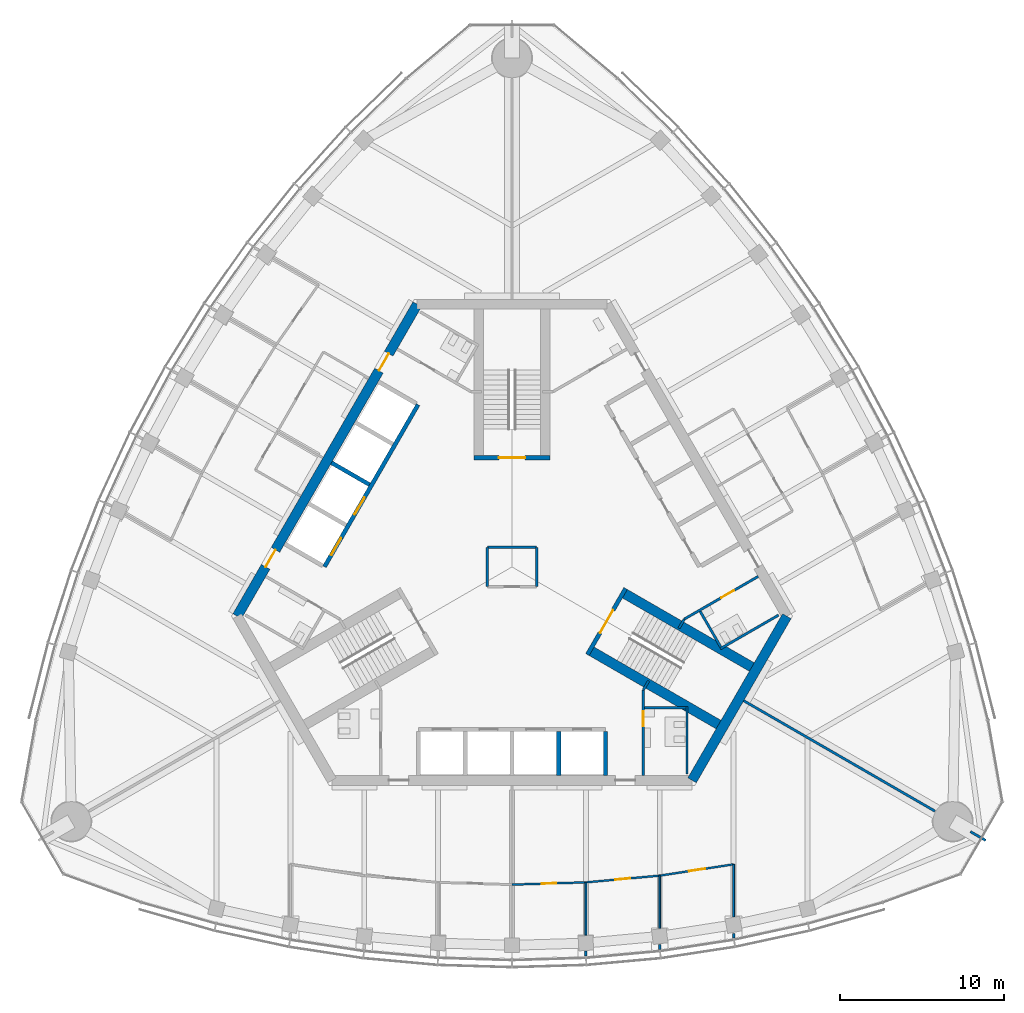
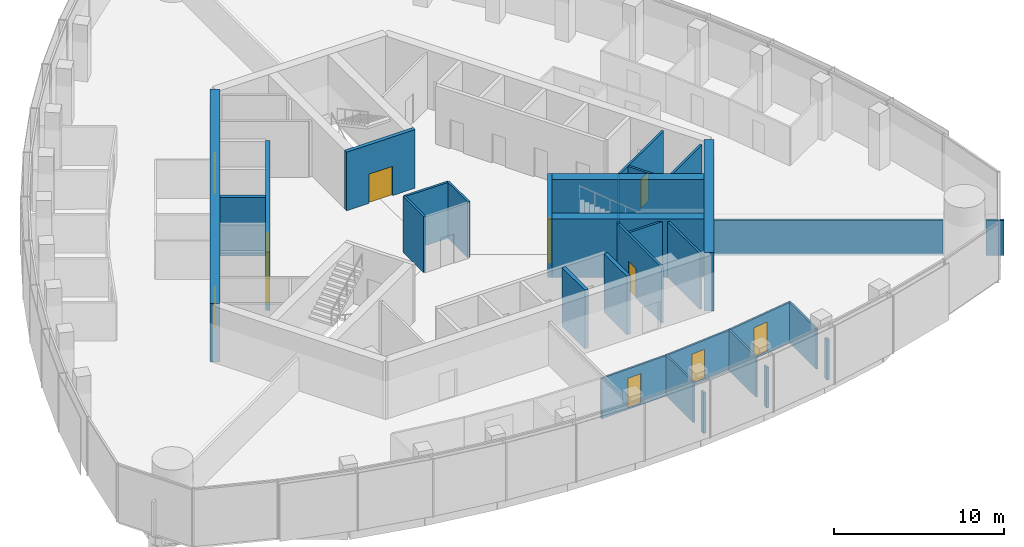
# One storey, part 9 of 16: 32 walls, 11 doors, 11 openings.
"""IFC4 building model written with IfcOpenShell, lengths in metres."""

from ifc_helpers import new_model, si_unit, direction, frame, frame_2d, origin, place, context, subcontext, project, spatial, rectangle, extrude, material, layer, layer_set, type_object, element, fill, save


model = new_model("IFC4")

# Units and contexts
model_context = context("Model", 3, precision=1e-05, world=origin(), true_north=direction((0.0, 1.0)))
body_context = subcontext(model_context, "Body", "Model", "MODEL_VIEW")
ifc_project = project(units=[si_unit("LENGTHUNIT", "METRE"), si_unit("AREAUNIT", "SQUARE_METRE"), si_unit("VOLUMEUNIT", "CUBIC_METRE"), si_unit("PLANEANGLEUNIT", "RADIAN"), si_unit("MASSUNIT", "GRAM", prefix="KILO")], contexts=[model_context])

# Site, building, storey
site_placement = place(None, origin())
site = spatial("IfcSite", under=ifc_project, at=site_placement, CompositionType="ELEMENT")
building_placement = place(site_placement, origin())
building = spatial("IfcBuilding", under=site, at=building_placement, Name="Trefoil Bronze Tower", CompositionType="ELEMENT")
storey_placement = place(building_placement, frame((0.0, 0.0, 305.699951171875)))
storey = spatial("IfcBuildingStorey", under=building, at=storey_placement, Name="L70", CompositionType="ELEMENT", Elevation=305.699951171875)

# Wall
ifc_material_1 = material(Name="Concrete B80", Category="concrete")
ifc_layer_1 = layer(ifc_material_1, 0.60009765625)
ifc_layer_set_1 = layer_set([ifc_layer_1], Name="Core wall 600")
wall_type_1 = type_object("IfcWallType", Name="Core wall 600", PredefinedType="SHEAR", material=ifc_layer_set_1)
wall_1_placement = place(storey_placement, frame((10.9697265625, -13.0, 0.0), z_axis=(0.0, 0.0, 1.0), x_axis=(0.499995765644, 0.866027848477, 0.0)))
element("IfcWall", 1, at=wall_1_placement, inside=storey, type_object=wall_type_1, Name="Core short wall 1 L70", PredefinedType="SHEAR", context=body_context, shape_type="SweptSolid", body=[
    extrude(rectangle(XDim=11.546875, YDim=0.60009765625, at=frame_2d((5.7734375, 0.0))), origin(), (0.0, 0.0, 1.0), 4.199951171875),
])

# Wall, openings, doors
wall_2_placement = place(storey_placement, frame((-5.7734375, 16.0, 0.0), z_axis=(0.0, 0.0, 1.0), x_axis=(-0.500002442456, -0.866023993627, 0.0)))
wall_2 = element("IfcWall", 2, at=wall_2_placement, inside=storey, type_object=wall_type_1, Name="Core long wall 3 L70", PredefinedType="SHEAR", context=body_context, shape_type="SweptSolid", body=[
    extrude(rectangle(XDim=21.939453125, YDim=0.60009765625, at=frame_2d((10.9697265625, 0.0))), origin(), (0.0, 0.0, 1.0), 4.199951171875),
])
opening_1_placement = place(wall_2_placement, frame((17.269775390625, 0.0, 0.0)))
opening_1 = element("IfcOpeningElement", 3, at=opening_1_placement, cuts=wall_2, Name="Opening D2", PredefinedType="OPENING", context=body_context, shape_type="SweptSolid", body=[
    extrude(rectangle(XDim=1.199951171875, YDim=2.10009765625, at=frame_2d((0.60009765625, 1.050048828125))), frame((0.0, 0.31005859375, 0.0), z_axis=(0.0, -1.0, 0.0), x_axis=(1.0, 0.0, 0.0)), (0.0, 0.0, 1.0), 0.6201171875),
])
opening_2_placement = place(wall_2_placement, frame((3.4697265625, 0.0, 0.0)))
opening_2 = element("IfcOpeningElement", 4, at=opening_2_placement, cuts=wall_2, Name="Opening D2", PredefinedType="OPENING", context=body_context, shape_type="SweptSolid", body=[
    extrude(rectangle(XDim=1.199951171875, YDim=2.10009765625, at=frame_2d((0.60009765625, 1.050048828125))), frame((0.0, 0.31005859375, 0.0), z_axis=(0.0, -1.0, 0.0), x_axis=(1.0, 0.0, 0.0)), (0.0, 0.0, 1.0), 0.6201171875),
])
ifc_material_2 = material(Name="Steel door", Category="steel")
door_type_1 = type_object("IfcDoorType", Name="Lobby door 1200", OperationType="SINGLE_SWING_RIGHT", PredefinedType="DOOR", material=ifc_material_2)
door_1_placement = place(opening_1_placement, origin())
door_1 = element("IfcDoor", 5, at=door_1_placement, inside=storey, type_object=door_type_1, Name="Lobby door F3+ L70", OperationType="SINGLE_SWING_RIGHT", OverallHeight=2.10009765625, OverallWidth=1.199951171875, PredefinedType="DOOR", context=body_context, shape_type="SweptSolid", body=[
    extrude(rectangle(XDim=1.199951171875, YDim=2.10009765625, at=frame_2d((0.60009765625, 1.050048828125))), frame((0.0, 0.02490234375, 0.0), z_axis=(0.0, -1.0, 0.0), x_axis=(1.0, 0.0, 0.0)), (0.0, 0.0, 1.0), 0.050048828125),
])
fill(opening_1, door_1)
door_2_placement = place(opening_2_placement, origin())
door_2 = element("IfcDoor", 6, at=door_2_placement, inside=storey, type_object=door_type_1, Name="Lobby door F3- L70", OperationType="SINGLE_SWING_LEFT", OverallHeight=2.10009765625, OverallWidth=1.199951171875, PredefinedType="DOOR", context=body_context, shape_type="SweptSolid", body=[
    extrude(rectangle(XDim=1.199951171875, YDim=2.10009765625, at=frame_2d((0.60009765625, 1.050048828125))), frame((0.0, 0.02490234375, 0.0), z_axis=(0.0, -1.0, 0.0), x_axis=(1.0, 0.0, 0.0)), (0.0, 0.0, 1.0), 0.050048828125),
])
fill(opening_2, door_2)

# Wall, opening, door
ifc_material_3 = material(Name="Glazed partition", Category="glass")
ifc_layer_2 = layer(ifc_material_3, 0.1201171875)
ifc_layer_set_2 = layer_set([ifc_layer_2], Name="Glazed partition 120")
wall_type_2 = type_object("IfcWallType", Name="Glazed partition 120", PredefinedType="PARTITIONING", material=ifc_layer_set_2)
wall_3_placement = place(storey_placement, frame((0.0, -19.3515625, 0.0), z_axis=(0.0, 0.0, 1.0), x_axis=(0.999542074227, 0.030259574513, 0.0)))
wall_3 = element("IfcWall", 7, at=wall_3_placement, inside=storey, type_object=wall_type_2, Name="Partition F1 L70", PredefinedType="PARTITIONING", context=body_context, shape_type="SweptSolid", body=[
    extrude(rectangle(XDim=4.501953125, YDim=0.1201171875, at=frame_2d((2.2509765625, 0.0))), origin(), (0.0, 0.0, 1.0), 2.900146484375),
])
opening_3_placement = place(wall_3_placement, frame((1.800048828125, 0.0, 0.14990234375)))
opening_3 = element("IfcOpeningElement", 8, at=opening_3_placement, cuts=wall_3, Name="Opening D8", PredefinedType="OPENING", context=body_context, shape_type="SweptSolid", body=[
    extrude(rectangle(XDim=0.89990234375, YDim=2.10009765625, at=frame_2d((0.449951171875, 1.050048828125))), frame((0.0, 0.070068359375, 0.0), z_axis=(0.0, -1.0, 0.0), x_axis=(1.0, 0.0, 0.0)), (0.0, 0.0, 1.0), 0.14013671875),
])
ifc_material_4 = material(Name="Timber door", Category="wood")
door_type_2 = type_object("IfcDoorType", Name="Office door 900", OperationType="SINGLE_SWING_LEFT", PredefinedType="DOOR", material=ifc_material_4)
door_3_placement = place(opening_3_placement, frame((0.89990234375, 0.0, 0.0), z_axis=(0.0, 0.0, 1.0), x_axis=(-1.0, 0.0, 0.0)))
door_3 = element("IfcDoor", 9, at=door_3_placement, inside=storey, type_object=door_type_2, Name="Office door F1 L70", OperationType="SINGLE_SWING_RIGHT", OverallHeight=2.10009765625, OverallWidth=0.89990234375, PredefinedType="DOOR", context=body_context, shape_type="SweptSolid", body=[
    extrude(rectangle(XDim=0.89990234375, YDim=2.10009765625, at=frame_2d((0.449951171875, 1.050048828125))), frame((0.0, 0.02490234375, 0.0), z_axis=(0.0, -1.0, 0.0), x_axis=(1.0, 0.0, 0.0)), (0.0, 0.0, 1.0), 0.050048828125),
])
fill(opening_3, door_3)

wall_4_placement = place(storey_placement, frame((4.5, -19.21533203125, 0.0), z_axis=(0.0, 0.0, 1.0), x_axis=(0.995871921504, 0.090769576179, 0.0)))
wall_4 = element("IfcWall", 10, at=wall_4_placement, inside=storey, type_object=wall_type_2, Name="Partition F1 L70", PredefinedType="PARTITIONING", context=body_context, shape_type="SweptSolid", body=[
    extrude(rectangle(XDim=4.5185546875, YDim=0.1201171875, at=frame_2d((2.25927734375, 0.0))), origin(), (0.0, 0.0, 1.0), 2.900146484375),
])
opening_4_placement = place(wall_4_placement, frame((1.800048828125, 0.0, 0.14990234375)))
opening_4 = element("IfcOpeningElement", 11, at=opening_4_placement, cuts=wall_4, Name="Opening D8", PredefinedType="OPENING", context=body_context, shape_type="SweptSolid", body=[
    extrude(rectangle(XDim=0.89990234375, YDim=2.10009765625, at=frame_2d((0.449951171875, 1.050048828125))), frame((0.0, 0.070068359375, 0.0), z_axis=(0.0, -1.0, 0.0), x_axis=(1.0, 0.0, 0.0)), (0.0, 0.0, 1.0), 0.14013671875),
])
door_4_placement = place(opening_4_placement, frame((0.89990234375, 0.0, 0.0), z_axis=(0.0, 0.0, 1.0), x_axis=(-1.0, 0.0, 0.0)))
door_4 = element("IfcDoor", 12, at=door_4_placement, inside=storey, type_object=door_type_2, Name="Office door F1 L70", OperationType="SINGLE_SWING_RIGHT", OverallHeight=2.10009765625, OverallWidth=0.89990234375, PredefinedType="DOOR", context=body_context, shape_type="SweptSolid", body=[
    extrude(rectangle(XDim=0.89990234375, YDim=2.10009765625, at=frame_2d((0.449951171875, 1.050048828125))), frame((0.0, 0.02490234375, 0.0), z_axis=(0.0, -1.0, 0.0), x_axis=(1.0, 0.0, 0.0)), (0.0, 0.0, 1.0), 0.050048828125),
])
fill(opening_4, door_4)

wall_5_placement = place(storey_placement, frame((9.0, -18.80517578125, 0.0), z_axis=(0.0, 0.0, 1.0), x_axis=(0.988481794406, 0.151339823341, 0.0)))
wall_5 = element("IfcWall", 13, at=wall_5_placement, inside=storey, type_object=wall_type_2, Name="Partition F1 L70", PredefinedType="PARTITIONING", context=body_context, shape_type="SweptSolid", body=[
    extrude(rectangle(XDim=4.552490234375, YDim=0.1201171875, at=frame_2d((2.2763671875, 0.0))), origin(), (0.0, 0.0, 1.0), 2.900146484375),
])
opening_5_placement = place(wall_5_placement, frame((1.800048828125, 0.0, 0.14990234375)))
opening_5 = element("IfcOpeningElement", 14, at=opening_5_placement, cuts=wall_5, Name="Opening D9", PredefinedType="OPENING", context=body_context, shape_type="SweptSolid", body=[
    extrude(rectangle(XDim=1.0, YDim=2.10009765625, at=frame_2d((0.5, 1.050048828125))), frame((0.0, 0.070068359375, 0.0), z_axis=(0.0, -1.0, 0.0), x_axis=(1.0, 0.0, 0.0)), (0.0, 0.0, 1.0), 0.14013671875),
])
ifc_material_5 = material(Name="Glazed timber door", Category="wood")
door_type_3 = type_object("IfcDoorType", Name="Meeting room door 1000", OperationType="SINGLE_SWING_LEFT", PredefinedType="DOOR", material=ifc_material_5)
door_5_placement = place(opening_5_placement, frame((1.0, 0.0, 0.0), z_axis=(0.0, 0.0, 1.0), x_axis=(-1.0, 0.0, 0.0)))
door_5 = element("IfcDoor", 15, at=door_5_placement, inside=storey, type_object=door_type_3, Name="Meeting room door F1 L70", OperationType="SINGLE_SWING_LEFT", OverallHeight=2.10009765625, OverallWidth=1.0, PredefinedType="DOOR", context=body_context, shape_type="SweptSolid", body=[
    extrude(rectangle(XDim=1.0, YDim=2.10009765625, at=frame_2d((0.5, 1.050048828125))), frame((0.0, 0.02490234375, 0.0), z_axis=(0.0, -1.0, 0.0), x_axis=(1.0, 0.0, 0.0)), (0.0, 0.0, 1.0), 0.050048828125),
])
fill(opening_5, door_5)

# Walls
wall_6_placement = place(storey_placement, frame((13.5, -18.1162109375, 0.0), z_axis=(0.0, 0.0, 1.0), x_axis=(0.0, -1.0, 0.0)))
element("IfcWall", 16, at=wall_6_placement, inside=storey, type_object=wall_type_2, Name="Partition F1 L70", PredefinedType="PARTITIONING", context=body_context, shape_type="SweptSolid", body=[
    extrude(rectangle(XDim=3.198486328125, YDim=0.1201171875, at=frame_2d((1.59912109375, 0.0))), origin(), (0.0, 0.0, 1.0), 2.900146484375),
])
wall_7_placement = place(storey_placement, frame((4.5, -19.21533203125, 0.0), z_axis=(0.0, 0.0, 1.0), x_axis=(0.0, -1.0, 0.0)))
element("IfcWall", 17, at=wall_7_placement, inside=storey, type_object=wall_type_2, Name="Partition F1 L70", PredefinedType="PARTITIONING", context=body_context, shape_type="SweptSolid", body=[
    extrude(rectangle(XDim=3.2177734375, YDim=0.1201171875, at=frame_2d((1.60888671875, 0.0))), origin(), (0.0, 0.0, 1.0), 2.900146484375),
])
wall_8_placement = place(storey_placement, frame((9.0, -18.80517578125, 0.0), z_axis=(0.0, 0.0, 1.0), x_axis=(0.0, -1.0, 0.0)))
element("IfcWall", 18, at=wall_8_placement, inside=storey, type_object=wall_type_2, Name="Partition F1 L70", PredefinedType="PARTITIONING", context=body_context, shape_type="SweptSolid", body=[
    extrude(rectangle(XDim=3.21044921875, YDim=0.1201171875, at=frame_2d((1.605224609375, 0.0))), origin(), (0.0, 0.0, 1.0), 2.900146484375),
])

# Wall, opening, door
ifc_material_6 = material(Name="Gypsum board on steel studs", Category="steel")
ifc_layer_3 = layer(ifc_material_6, 0.14990234375)
ifc_layer_set_3 = layer_set([ifc_layer_3], Name="Partition 150")
wall_type_3 = type_object("IfcWallType", Name="Partition 150", PredefinedType="PARTITIONING", material=ifc_layer_set_3)
wall_9_placement = place(storey_placement, frame((8.0, -7.5, 0.0), z_axis=(0.0, 0.0, 1.0), x_axis=(0.0, -1.0, 0.0)))
wall_9 = element("IfcWall", 19, at=wall_9_placement, inside=storey, type_object=wall_type_3, Name="Passage wall F1+ L70", PredefinedType="PARTITIONING", context=body_context, shape_type="SweptSolid", body=[
    extrude(rectangle(XDim=5.199951171875, YDim=0.14990234375, at=frame_2d((2.60009765625, 0.0))), origin(), (0.0, 0.0, 1.0), 4.0),
])
opening_6_placement = place(wall_9_placement, frame((1.300048828125, 0.0, 0.0)))
opening_6 = element("IfcOpeningElement", 20, at=opening_6_placement, cuts=wall_9, Name="Opening D3", PredefinedType="OPENING", context=body_context, shape_type="SweptSolid", body=[
    extrude(rectangle(XDim=0.89990234375, YDim=2.10009765625, at=frame_2d((0.449951171875, 1.050048828125))), frame((0.0, 0.0849609375, 0.0), z_axis=(0.0, -1.0, 0.0), x_axis=(1.0, 0.0, 0.0)), (0.0, 0.0, 1.0), 0.169921875),
])
ifc_material_7 = material(Name="Timber door", Category="wood")
door_type_4 = type_object("IfcDoorType", Name="WC door 900", OperationType="SINGLE_SWING_LEFT", PredefinedType="DOOR", material=ifc_material_7)
door_6_placement = place(opening_6_placement, origin())
door_6 = element("IfcDoor", 21, at=door_6_placement, inside=storey, type_object=door_type_4, Name="WC (men) door L70", OperationType="SINGLE_SWING_LEFT", OverallHeight=2.10009765625, OverallWidth=0.89990234375, PredefinedType="DOOR", context=body_context, shape_type="SweptSolid", body=[
    extrude(rectangle(XDim=0.89990234375, YDim=2.10009765625, at=frame_2d((0.449951171875, 1.050048828125))), frame((0.0, 0.02490234375, 0.0), z_axis=(0.0, -1.0, 0.0), x_axis=(1.0, 0.0, 0.0)), (0.0, 0.0, 1.0), 0.050048828125),
])
fill(opening_6, door_6)

wall_10_placement = place(storey_placement, frame((10.4951171875, -3.17822265625, 0.0), z_axis=(0.0, 0.0, 1.0), x_axis=(0.866021400173, 0.500006934395, 0.0)))
wall_10 = element("IfcWall", 22, at=wall_10_placement, inside=storey, type_object=wall_type_3, Name="Passage wall F2- L70", PredefinedType="PARTITIONING", context=body_context, shape_type="SweptSolid", body=[
    extrude(rectangle(XDim=5.2001953125, YDim=0.14990234375, at=frame_2d((2.60009765625, 0.0))), origin(), (0.0, 0.0, 1.0), 4.0),
])
opening_7_placement = place(wall_10_placement, frame((2.60009765625, 0.0, 0.0)))
opening_7 = element("IfcOpeningElement", 23, at=opening_7_placement, cuts=wall_10, Name="Opening D3", PredefinedType="OPENING", context=body_context, shape_type="SweptSolid", body=[
    extrude(rectangle(XDim=0.89990234375, YDim=2.10009765625, at=frame_2d((0.449951171875, 1.050048828125))), frame((0.0, 0.0849609375, 0.0), z_axis=(0.0, -1.0, 0.0), x_axis=(1.0, 0.0, 0.0)), (0.0, 0.0, 1.0), 0.169921875),
])
door_7_placement = place(opening_7_placement, frame((0.89990234375, 0.0, 0.0), z_axis=(0.0, 0.0, 1.0), x_axis=(-1.0, 0.0, 0.0)))
door_7 = element("IfcDoor", 24, at=door_7_placement, inside=storey, type_object=door_type_4, Name="WC (women) door L70", OperationType="SINGLE_SWING_RIGHT", OverallHeight=2.10009765625, OverallWidth=0.89990234375, PredefinedType="DOOR", context=body_context, shape_type="SweptSolid", body=[
    extrude(rectangle(XDim=0.89990234375, YDim=2.10009765625, at=frame_2d((0.449951171875, 1.050048828125))), frame((0.0, 0.02490234375, 0.0), z_axis=(0.0, -1.0, 0.0), x_axis=(1.0, 0.0, 0.0)), (0.0, 0.0, 1.0), 0.050048828125),
])
fill(opening_7, door_7)

# Walls
for number, where, z_axis, x_axis, name in (
    (25, (8.0, -7.5, 0.0), (0.0, 0.0, 1.0), (0.499842556608, 0.866116284689, 0.0), "WC wall ST1-1 L70"),
    (26, (10.4951171875, -3.17822265625, 0.0), (0.0, 0.0, 1.0), (-0.499842556608, -0.866116284689, 0.0), "WC wall ST1+1 L70"),
):
    element("IfcWall", number, at=place(storey_placement, frame(where, z_axis=z_axis, x_axis=x_axis)), inside=storey, type_object=wall_type_3, Name=name, PredefinedType="PARTITIONING", context=body_context, shape_type="SweptSolid", body=[
        extrude(rectangle(XDim=0.645263671875, YDim=0.14990234375, at=frame_2d((0.32275390625, 0.0))), origin(), (0.0, 0.0, 1.0), 4.0),
    ])
wall_11_placement = place(storey_placement, frame((10.659912109375, -8.5, 0.0), z_axis=(0.0, 0.0, 1.0), x_axis=(0.0, -1.0, 0.0)))
element("IfcWall", 27, at=wall_11_placement, inside=storey, type_object=wall_type_3, Name="WC partition WC (men) L70", PredefinedType="PARTITIONING", context=body_context, shape_type="SweptSolid", body=[
    extrude(rectangle(XDim=4.10009765625, YDim=0.14990234375, at=frame_2d((2.050048828125, 0.0))), origin(), (0.0, 0.0, 1.0), 4.0),
])
wall_12_placement = place(storey_placement, frame((8.074951171875, -8.574951171875, 0.0), z_axis=(0.0, 0.0, 1.0), x_axis=(1.0, 0.0, 0.0)))
element("IfcWall", 28, at=wall_12_placement, inside=storey, type_object=wall_type_3, Name="WC partition WC (men) L70", PredefinedType="PARTITIONING", context=body_context, shape_type="SweptSolid", body=[
    extrude(rectangle(XDim=2.510009765625, YDim=0.14990234375, at=frame_2d((1.2548828125, 0.0))), origin(), (0.0, 0.0, 1.0), 4.0),
])
wall_13_placement = place(storey_placement, frame((12.691162109375, -4.98193359375, 0.0), z_axis=(0.0, 0.0, 1.0), x_axis=(0.8660249478, 0.500000789788, 0.0)))
element("IfcWall", 29, at=wall_13_placement, inside=storey, type_object=wall_type_3, Name="WC partition WC (women) L70", PredefinedType="PARTITIONING", context=body_context, shape_type="SweptSolid", body=[
    extrude(rectangle(XDim=4.10009765625, YDim=0.14990234375, at=frame_2d((2.050048828125, 0.0))), origin(), (0.0, 0.0, 1.0), 4.0),
])
wall_14_placement = place(storey_placement, frame((11.463623046875, -2.70556640625, 0.0), z_axis=(0.0, 0.0, 1.0), x_axis=(0.50001992892, -0.866013897511, 0.0)))
element("IfcWall", 30, at=wall_14_placement, inside=storey, type_object=wall_type_3, Name="WC partition WC (women) L70", PredefinedType="PARTITIONING", context=body_context, shape_type="SweptSolid", body=[
    extrude(rectangle(XDim=2.51025390625, YDim=0.14990234375, at=frame_2d((1.255126953125, 0.0))), origin(), (0.0, 0.0, 1.0), 4.0),
])
wall_15_placement = place(storey_placement, frame((13.5, -22.3310546875, 0.0), z_axis=(0.0, 0.0, 1.0), x_axis=(0.0, -1.0, 0.0)))
element("IfcWall", 31, at=wall_15_placement, inside=storey, type_object=wall_type_3, Name="Partition F1 L70", PredefinedType="PARTITIONING", context=body_context, shape_type="SweptSolid", body=[
    extrude(rectangle(XDim=0.2802734375, YDim=0.14990234375, at=frame_2d((0.14013671875, 0.0))), origin(), (0.0, 0.0, 1.0), 2.900146484375),
])
wall_16_placement = place(storey_placement, frame((4.5, -23.394287109375, 0.0), z_axis=(0.0, 0.0, 1.0), x_axis=(0.0, -1.0, 0.0)))
element("IfcWall", 32, at=wall_16_placement, inside=storey, type_object=wall_type_3, Name="Partition F1 L70", PredefinedType="PARTITIONING", context=body_context, shape_type="SweptSolid", body=[
    extrude(rectangle(XDim=0.316162109375, YDim=0.14990234375, at=frame_2d((0.158203125, 0.0))), origin(), (0.0, 0.0, 1.0), 2.900146484375),
])
wall_17_placement = place(storey_placement, frame((9.0, -23.00439453125, 0.0), z_axis=(0.0, 0.0, 1.0), x_axis=(0.0, -1.0, 0.0)))
element("IfcWall", 33, at=wall_17_placement, inside=storey, type_object=wall_type_3, Name="Partition F1 L70", PredefinedType="PARTITIONING", context=body_context, shape_type="SweptSolid", body=[
    extrude(rectangle(XDim=0.295654296875, YDim=0.14990234375, at=frame_2d((0.14794921875, 0.0))), origin(), (0.0, 0.0, 1.0), 2.900146484375),
])
ifc_material_8 = material(Name="Gypsum board on steel studs", Category="steel")
ifc_layer_4 = layer(ifc_material_8, 0.14990234375)
ifc_layer_set_4 = layer_set([ifc_layer_4], Name="Party wall 150")
wall_type_4 = type_object("IfcWallType", Name="Party wall 150", PredefinedType="PARTITIONING", material=ifc_layer_set_4)
wall_18_placement = place(storey_placement, frame((14.1162109375, -8.14990234375, 0.0), z_axis=(0.0, 0.0, 1.0), x_axis=(0.866020541135, -0.500008422262, 0.0)))
element("IfcWall", 34, at=wall_18_placement, inside=storey, type_object=wall_type_4, Name="Party wall K1 L70", PredefinedType="PARTITIONING", context=body_context, shape_type="SweptSolid", body=[
    extrude(rectangle(XDim=13.449951171875, YDim=0.14990234375, at=frame_2d((6.72509765625, 0.0))), origin(), (0.0, 0.0, 1.0), 2.5),
])
wall_19_placement = place(storey_placement, frame((27.92919921875, -16.125, 0.0), z_axis=(0.0, 0.0, 1.0), x_axis=(0.866086810508, -0.499893625349, 0.0)))
element("IfcWall", 35, at=wall_19_placement, inside=storey, type_object=wall_type_4, Name="Party wall K1 L70", PredefinedType="PARTITIONING", context=body_context, shape_type="SweptSolid", body=[
    extrude(rectangle(XDim=1.070068359375, YDim=0.14990234375, at=frame_2d((0.53515625, 0.0))), origin(), (0.0, 0.0, 1.0), 2.5),
])
ifc_material_9 = material(Name="Gypsum board on steel studs", Category="steel")
ifc_layer_5 = layer(ifc_material_9, 0.14990234375)
ifc_layer_set_5 = layer_set([ifc_layer_5], Name="Riser wall 150")
wall_type_5 = type_object("IfcWallType", Name="Riser wall 150", PredefinedType="PARTITIONING", material=ifc_layer_set_5)
wall_20_placement = place(storey_placement, frame((1.5, -1.199951171875, 0.0), z_axis=(0.0, 0.0, 1.0), x_axis=(0.0, 1.0, 0.0)))
element("IfcWall", 36, at=wall_20_placement, inside=storey, type_object=wall_type_5, Name="Riser wall L70", PredefinedType="PARTITIONING", context=body_context, shape_type="SweptSolid", body=[
    extrude(rectangle(XDim=2.39990234375, YDim=0.14990234375, at=frame_2d((1.199951171875, 0.0))), origin(), (0.0, 0.0, 1.0), 4.0),
])
wall_21_placement = place(storey_placement, frame((1.5, 1.199951171875, 0.0), z_axis=(0.0, 0.0, 1.0), x_axis=(-1.0, 0.0, 0.0)))
element("IfcWall", 37, at=wall_21_placement, inside=storey, type_object=wall_type_5, Name="Riser wall L70", PredefinedType="PARTITIONING", context=body_context, shape_type="SweptSolid", body=[
    extrude(rectangle(XDim=3.0, YDim=0.14990234375, at=frame_2d((1.5, 0.0))), origin(), (0.0, 0.0, 1.0), 4.0),
])
wall_22_placement = place(storey_placement, frame((-1.5, 1.199951171875, 0.0), z_axis=(0.0, 0.0, 1.0), x_axis=(0.0, -1.0, 0.0)))
element("IfcWall", 38, at=wall_22_placement, inside=storey, type_object=wall_type_5, Name="Riser wall L70", PredefinedType="PARTITIONING", context=body_context, shape_type="SweptSolid", body=[
    extrude(rectangle(XDim=2.39990234375, YDim=0.14990234375, at=frame_2d((1.199951171875, 0.0))), origin(), (0.0, 0.0, 1.0), 4.0),
])
ifc_material_10 = material(Name="Concrete B80", Category="concrete")
ifc_layer_6 = layer(ifc_material_10, 0.25)
ifc_layer_set_6 = layer_set([ifc_layer_6], Name="Shaft wall 250")
wall_type_6 = type_object("IfcWallType", Name="Shaft wall 250", PredefinedType="SHEAR", material=ifc_layer_set_6)
for number, where, z_axis, x_axis, name in (
    (39, (2.85009765625, -10.02490234375, 0.0), (0.0, 0.0, 1.0), (0.0, -1.0, 0.0), "Lift shaft side wall A3 L70"),
    (40, (5.699951171875, -10.02490234375, 0.0), (0.0, 0.0, 1.0), (0.0, -1.0, 0.0), "Lift shaft side wall A4 L70"),
):
    element("IfcWall", number, at=place(storey_placement, frame(where, z_axis=z_axis, x_axis=x_axis)), inside=storey, type_object=wall_type_6, Name=name, PredefinedType="SHEAR", context=body_context, shape_type="SweptSolid", body=[
        extrude(rectangle(XDim=2.675048828125, YDim=0.25, at=frame_2d((1.33740234375, 0.0))), origin(), (0.0, 0.0, 1.0), 4.199951171875),
    ])

# Wall, openings, doors
wall_23_placement = place(storey_placement, frame((-5.7236328125, 9.88623046875, 0.0), z_axis=(0.0, 0.0, 1.0), x_axis=(-0.500001763848, -0.866024385424, 0.0)))
wall_23 = element("IfcWall", 41, at=wall_23_placement, inside=storey, type_object=wall_type_6, Name="Lift shaft front wall C L70", PredefinedType="SHEAR", context=body_context, shape_type="SweptSolid", body=[
    extrude(rectangle(XDim=11.39990234375, YDim=0.25, at=frame_2d((5.699951171875, 0.0))), origin(), (0.0, 0.0, 1.0), 4.199951171875),
])
opening_8_placement = place(wall_23_placement, frame((6.52490234375, 0.0, 0.0)))
opening_8 = element("IfcOpeningElement", 42, at=opening_8_placement, cuts=wall_23, Name="Opening LD-FL1", PredefinedType="OPENING", context=body_context, shape_type="SweptSolid", body=[
    extrude(rectangle(XDim=1.199951171875, YDim=2.199951171875, at=frame_2d((0.60009765625, 1.10009765625))), frame((0.0, 0.135009765625, 0.0), z_axis=(0.0, -1.0, 0.0), x_axis=(1.0, 0.0, 0.0)), (0.0, 0.0, 1.0), 0.27001953125),
])
opening_9_placement = place(wall_23_placement, frame((9.375, 0.0, 0.0)))
opening_9 = element("IfcOpeningElement", 43, at=opening_9_placement, cuts=wall_23, Name="Opening LD-FL2", PredefinedType="OPENING", context=body_context, shape_type="SweptSolid", body=[
    extrude(rectangle(XDim=1.199951171875, YDim=2.199951171875, at=frame_2d((0.60009765625, 1.10009765625))), frame((0.0, 0.135009765625, 0.0), z_axis=(0.0, -1.0, 0.0), x_axis=(1.0, 0.0, 0.0)), (0.0, 0.0, 1.0), 0.27001953125),
])
ifc_material_11 = material(Name="Steel door", Category="steel")
door_type_5 = type_object("IfcDoorType", Name="Lift landing door 1200", OperationType="DOUBLE_DOOR_SLIDING", PredefinedType="DOOR", material=ifc_material_11)
door_8_placement = place(opening_8_placement, origin())
door_8 = element("IfcDoor", 44, at=door_8_placement, inside=storey, type_object=door_type_5, Name="Lift FL1 landing door L70", OperationType="DOUBLE_DOOR_SLIDING", OverallHeight=2.199951171875, OverallWidth=1.199951171875, PredefinedType="DOOR", context=body_context, shape_type="SweptSolid", body=[
    extrude(rectangle(XDim=1.199951171875, YDim=2.199951171875, at=frame_2d((0.60009765625, 1.10009765625))), frame((0.0, 0.02490234375, 0.0), z_axis=(0.0, -1.0, 0.0), x_axis=(1.0, 0.0, 0.0)), (0.0, 0.0, 1.0), 0.050048828125),
])
fill(opening_8, door_8)
door_9_placement = place(opening_9_placement, origin())
door_9 = element("IfcDoor", 45, at=door_9_placement, inside=storey, type_object=door_type_5, Name="Lift FL2 landing door L70", OperationType="DOUBLE_DOOR_SLIDING", OverallHeight=2.199951171875, OverallWidth=1.199951171875, PredefinedType="DOOR", context=body_context, shape_type="SweptSolid", body=[
    extrude(rectangle(XDim=1.199951171875, YDim=2.199951171875, at=frame_2d((0.60009765625, 1.10009765625))), frame((0.0, 0.02490234375, 0.0), z_axis=(0.0, -1.0, 0.0), x_axis=(1.0, 0.0, 0.0)), (0.0, 0.0, 1.0), 0.050048828125),
])
fill(opening_9, door_9)

# Wall
wall_24_placement = place(storey_placement, frame((-8.681884765625, 5.012451171875, 0.0), z_axis=(0.0, 0.0, 1.0), x_axis=(-0.866004723184, 0.50003581814, 0.0)))
element("IfcWall", 46, at=wall_24_placement, inside=storey, type_object=wall_type_6, Name="Lift shaft side wall C2 L70", PredefinedType="SHEAR", context=body_context, shape_type="SweptSolid", body=[
    extrude(rectangle(XDim=2.675048828125, YDim=0.25, at=frame_2d((1.33740234375, 0.0))), origin(), (0.0, 0.0, 1.0), 4.199951171875),
])

# Wall, opening, door
wall_25_placement = place(storey_placement, frame((4.5966796875, -5.338623046875, 0.0), z_axis=(0.0, 0.0, 1.0), x_axis=(0.499984536904, 0.866034331223, 0.0)))
wall_25 = element("IfcWall", 47, at=wall_25_placement, inside=storey, type_object=wall_type_6, Name="Stair end wall ST1 L70", PredefinedType="SHEAR", context=body_context, shape_type="SweptSolid", body=[
    extrude(rectangle(XDim=4.650146484375, YDim=0.25, at=frame_2d((2.3251953125, 0.0))), origin(), (0.0, 0.0, 1.0), 4.199951171875),
])
opening_10_placement = place(wall_25_placement, frame((1.52490234375, 0.0, 0.0)))
opening_10 = element("IfcOpeningElement", 48, at=opening_10_placement, cuts=wall_25, Name="Opening D1", PredefinedType="OPENING", context=body_context, shape_type="SweptSolid", body=[
    extrude(rectangle(XDim=1.60009765625, YDim=2.10009765625, at=frame_2d((0.800048828125, 1.050048828125))), frame((0.0, 0.135009765625, 0.0), z_axis=(0.0, -1.0, 0.0), x_axis=(1.0, 0.0, 0.0)), (0.0, 0.0, 1.0), 0.27001953125),
])
ifc_material_12 = material(Name="Steel door", Category="steel")
door_type_6 = type_object("IfcDoorType", Name="Stair door 1600", OperationType="DOUBLE_DOOR_SINGLE_SWING", PredefinedType="DOOR", material=ifc_material_12)
door_10_placement = place(opening_10_placement, frame((1.60009765625, 0.0, 0.0), z_axis=(0.0, 0.0, 1.0), x_axis=(-1.0, 0.0, 0.0)))
door_10 = element("IfcDoor", 49, at=door_10_placement, inside=storey, type_object=door_type_6, Name="Stair door ST1 L70", OperationType="DOUBLE_DOOR_SINGLE_SWING", OverallHeight=2.10009765625, OverallWidth=1.60009765625, PredefinedType="DOOR", context=body_context, shape_type="SweptSolid", body=[
    extrude(rectangle(XDim=1.60009765625, YDim=2.10009765625, at=frame_2d((0.800048828125, 1.050048828125))), frame((0.0, 0.02490234375, 0.0), z_axis=(0.0, -1.0, 0.0), x_axis=(1.0, 0.0, 0.0)), (0.0, 0.0, 1.0), 0.050048828125),
])
fill(opening_10, door_10)

wall_26_placement = place(storey_placement, frame((2.324951171875, 6.64990234375, 0.0), z_axis=(0.0, 0.0, 1.0), x_axis=(-1.0, 0.0, 0.0)))
wall_26 = element("IfcWall", 50, at=wall_26_placement, inside=storey, type_object=wall_type_6, Name="Stair end wall ST2 L70", PredefinedType="SHEAR", context=body_context, shape_type="SweptSolid", body=[
    extrude(rectangle(XDim=4.64990234375, YDim=0.25, at=frame_2d((2.324951171875, 0.0))), origin(), (0.0, 0.0, 1.0), 4.199951171875),
])
opening_11_placement = place(wall_26_placement, frame((1.52490234375, 0.0, 0.0)))
opening_11 = element("IfcOpeningElement", 51, at=opening_11_placement, cuts=wall_26, Name="Opening D1", PredefinedType="OPENING", context=body_context, shape_type="SweptSolid", body=[
    extrude(rectangle(XDim=1.60009765625, YDim=2.10009765625, at=frame_2d((0.800048828125, 1.050048828125))), frame((0.0, 0.135009765625, 0.0), z_axis=(0.0, -1.0, 0.0), x_axis=(1.0, 0.0, 0.0)), (0.0, 0.0, 1.0), 0.27001953125),
])
door_11_placement = place(opening_11_placement, frame((1.60009765625, 0.0, 0.0), z_axis=(0.0, 0.0, 1.0), x_axis=(-1.0, 0.0, 0.0)))
door_11 = element("IfcDoor", 52, at=door_11_placement, inside=storey, type_object=door_type_6, Name="Stair door ST2 L70", OperationType="DOUBLE_DOOR_SINGLE_SWING", OverallHeight=2.10009765625, OverallWidth=1.60009765625, PredefinedType="DOOR", context=body_context, shape_type="SweptSolid", body=[
    extrude(rectangle(XDim=1.60009765625, YDim=2.10009765625, at=frame_2d((0.800048828125, 1.050048828125))), frame((0.0, 0.02490234375, 0.0), z_axis=(0.0, -1.0, 0.0), x_axis=(1.0, 0.0, 0.0)), (0.0, 0.0, 1.0), 0.050048828125),
])
fill(opening_11, door_11)

# Walls
ifc_material_13 = material(Name="Concrete B80", Category="concrete")
ifc_layer_7 = layer(ifc_material_13, 0.60009765625)
ifc_layer_set_7 = layer_set([ifc_layer_7], Name="Stair wall 600")
wall_type_7 = type_object("IfcWallType", Name="Stair wall 600", PredefinedType="SHEAR", material=ifc_layer_set_7)
wall_27_placement = place(storey_placement, frame((4.638427734375, -5.01611328125, 0.0), z_axis=(0.0, 0.0, 1.0), x_axis=(0.866012320003, -0.50002266109, 0.0)))
element("IfcWall", 53, at=wall_27_placement, inside=storey, type_object=wall_type_7, Name="Stair wall ST1 L70", PredefinedType="SHEAR", context=body_context, shape_type="SweptSolid", body=[
    extrude(rectangle(XDim=9.1748046875, YDim=0.60009765625, at=frame_2d((4.58740234375, 0.0))), origin(), (0.0, 0.0, 1.0), 4.199951171875),
])
wall_28_placement = place(storey_placement, frame((6.663330078125, -1.5087890625, 0.0), z_axis=(0.0, 0.0, 1.0), x_axis=(0.86603049496, -0.499991181721, 0.0)))
element("IfcWall", 54, at=wall_28_placement, inside=storey, type_object=wall_type_7, Name="Stair wall ST1 L70", PredefinedType="SHEAR", context=body_context, shape_type="SweptSolid", body=[
    extrude(rectangle(XDim=9.175048828125, YDim=0.60009765625, at=frame_2d((4.58740234375, 0.0))), origin(), (0.0, 0.0, 1.0), 4.199951171875),
])

save(model, "model.ifc")
